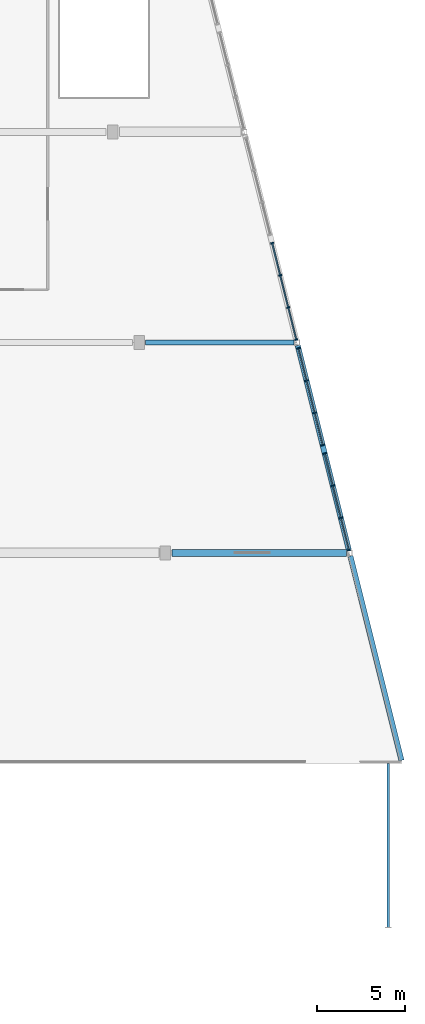
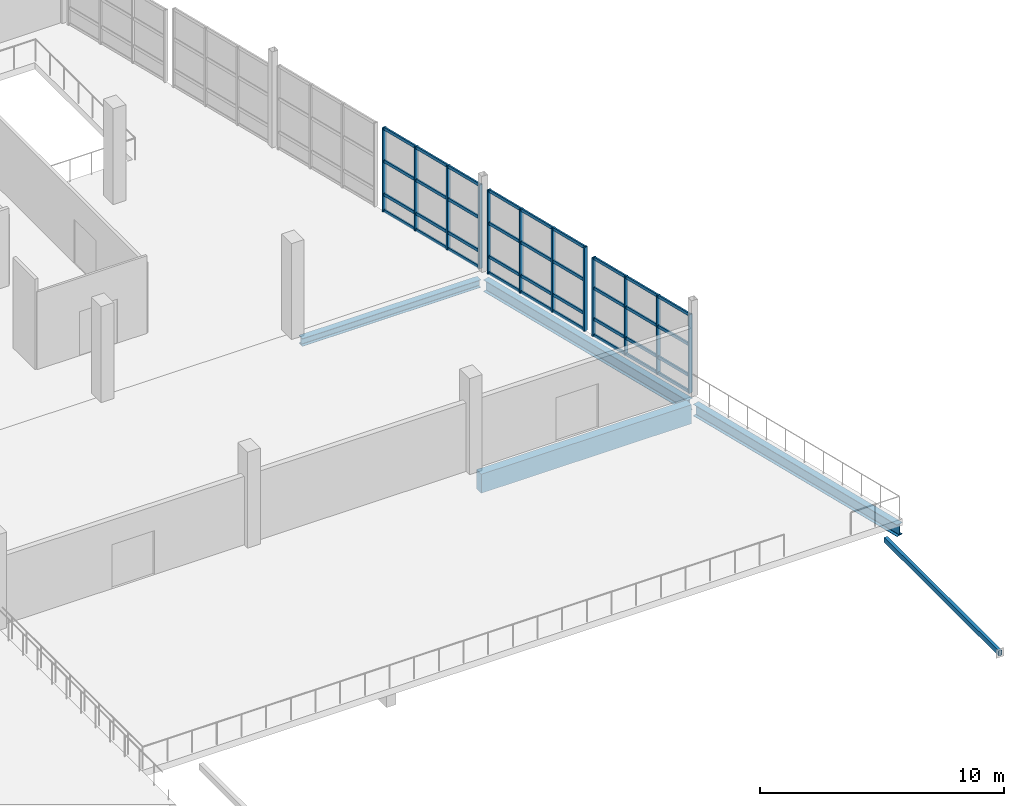
# One storey, part 21 of 49: 25 members, 4 beams, 3 elements without a shape of their own.
"""IFC4 building model written with IfcOpenShell, lengths in metres."""

from ifc_helpers import new_model, si_unit, direction, frame, origin, origin_2d, place, context, subcontext, project, spatial, rectangle, hollow_rectangle, i_section, extrude, material, material_profile, profile_set, type_object, element, aggregate, save


model = new_model("IFC4")

# Units and contexts
model_context = context("Model", 3, precision=1e-05, world=origin(), true_north=direction((0.0, 1.0)))
body_context = subcontext(model_context, "Body", "Model", "MODEL_VIEW")
ifc_project = project(units=[si_unit("LENGTHUNIT", "METRE"), si_unit("AREAUNIT", "SQUARE_METRE"), si_unit("VOLUMEUNIT", "CUBIC_METRE"), si_unit("PLANEANGLEUNIT", "RADIAN"), si_unit("MASSUNIT", "GRAM", prefix="KILO")], contexts=[model_context])

# Site, building, storey
site_placement = place(None, origin())
site = spatial("IfcSite", under=ifc_project, at=site_placement, CompositionType="ELEMENT")
building_placement = place(site_placement, origin())
building = spatial("IfcBuilding", under=site, at=building_placement, Name="Kamomehara Wholesale Market", CompositionType="ELEMENT")
storey_placement = place(building_placement, frame((0.0, 0.0, 11.39990234375)))
storey = spatial("IfcBuildingStorey", under=building, at=storey_placement, Name="L02", CompositionType="ELEMENT", Elevation=11.39990234375)

# Beams
ifc_material_1 = material(Name="Precast concrete Fc45 (C40/50)", Category="concrete")
ifc_material_profile_1 = material_profile(ifc_material_1, rectangle(XDim=0.39990234375, YDim=0.949951171875, at=origin_2d()), Name="PC-SPN-400x950")
ifc_profile_set_1 = profile_set([ifc_material_profile_1], Name="Precast concrete Fc45 (C40/50)")
beam_type_1 = type_object("IfcBeamType", Name="BM-SPN950-EXT", PredefinedType="SPANDREL", material=ifc_profile_set_1)
beam_1_placement = place(storey_placement, frame((190.875, 36.0, -0.81689453125), z_axis=(1.0, 0.0, 0.0), x_axis=(0.0, 1.0, 0.0)))
element("IfcBeam", 1, at=beam_1_placement, inside=storey, type_object=beam_type_1, Name="Beam SPN-01E L02", PredefinedType="SPANDREL", context=body_context, shape_type="SweptSolid", body=[
    extrude(rectangle(XDim=0.39990234375, YDim=0.949951171875, at=origin_2d()), origin(), (0.0, 0.0, 1.0), 9.947021484375),
])
ifc_material_2 = material(Name="Steel SN490B", Category="steel")
ifc_material_profile_2 = material_profile(ifc_material_2, i_section(OverallWidth=0.300048828125, OverallDepth=0.389892578125, WebThickness=0.010009765625, FlangeThickness=0.01611328125, FilletRadius=0.01806640625, at=origin_2d()), Name="H-390x300x10x16")
ifc_profile_set_2 = profile_set([ifc_material_profile_2], Name="Steel SN490B")
beam_type_2 = type_object("IfcBeamType", Name="BM-ST-H390-EXT", PredefinedType="SPANDREL", material=ifc_profile_set_2)
beam_2_placement = place(storey_placement, frame((189.375, 48.0, -0.536865234375), z_axis=(1.0, 0.0, 0.0), x_axis=(0.0, 1.0, 0.0)))
element("IfcBeam", 2, at=beam_2_placement, inside=storey, type_object=beam_type_2, Name="Beam SJ-03E L02", PredefinedType="SPANDREL", context=body_context, shape_type="SweptSolid", body=[
    extrude(i_section(OverallWidth=0.300048828125, OverallDepth=0.389892578125, WebThickness=0.010009765625, FlangeThickness=0.01611328125, FilletRadius=0.01806640625, at=origin_2d()), origin(), (0.0, 0.0, 1.0), 8.447021484375),
])
ifc_material_3 = material(Name="Steel SN490B", Category="steel")
ifc_material_profile_3 = material_profile(ifc_material_3, i_section(OverallWidth=0.300048828125, OverallDepth=0.587890625, WebThickness=0.011962890625, FlangeThickness=0.02001953125, FilletRadius=0.02197265625, at=origin_2d()), Name="H-588x300x12x20")
ifc_profile_set_3 = profile_set([ifc_material_profile_3], Name="Steel SN490B")
beam_type_3 = type_object("IfcBeamType", Name="BM-ST-H588-EXT", PredefinedType="BEAM", material=ifc_profile_set_3)
for number, where, z_axis, x_axis, name in (
    (3, (203.95703125, 24.172119140625, -0.630859375), (-0.242545187601, 0.970140109454, 0.0), (-0.970140109454, -0.242545187601, 0.0), "Beam SG-06E L02"),
    (4, (200.95703125, 36.172119140625, -0.635986328125), (-0.242545187601, 0.970140109454, 0.0), (-0.970140109454, -0.242545187601, 0.0), "Beam SG-06E L02"),
):
    element("IfcBeam", number, at=place(storey_placement, frame(where, z_axis=z_axis, x_axis=x_axis)), inside=storey, type_object=beam_type_3, Name=name, PredefinedType="BEAM", context=body_context, shape_type="SweptSolid", body=[
        extrude(i_section(OverallWidth=0.300048828125, OverallDepth=0.587890625, WebThickness=0.011962890625, FlangeThickness=0.02001953125, FilletRadius=0.02197265625, at=origin_2d()), origin(), (0.0, 0.0, 1.0), 12.014404296875),
    ])

# Curtain wall, members
ifc_material_4 = material(Name="Anodised aluminium 6063-T5", Category="aluminium")
curtain_wall_type = type_object("IfcCurtainWallType", Name="CW-UN-09", PredefinedType="NOTDEFINED", material=ifc_material_4)
curtain_wall_1_placement = place(storey_placement, origin())
curtain_wall_1 = element("IfcCurtainWall", 5, at=curtain_wall_1_placement, inside=storey, type_object=curtain_wall_type, Name="Unitised curtain wall CW-195", PredefinedType="NOTDEFINED")
ifc_material_5 = material(Name="Anodised aluminium 6063-T5", Category="aluminium")
ifc_material_profile_4 = material_profile(ifc_material_5, rectangle(XDim=0.074951171875, YDim=0.179931640625, at=origin_2d()), Name="ALU-MUL-75x180")
ifc_profile_set_4 = profile_set([ifc_material_profile_4], Name="Anodised aluminium 6063-T5")
member_type_1 = type_object("IfcMemberType", Name="CW-MUL-180", PredefinedType="MULLION", material=ifc_profile_set_4)
member_1_placement = place(storey_placement, frame((198.0849609375, 47.659912109375, 0.0), z_axis=(0.0, 0.0, 1.0), x_axis=(0.242617855844, -0.97012193874, 0.0)))
member_1 = element("IfcMember", 6, at=member_1_placement, type_object=member_type_1, Name="Mullion CW-195.0", PredefinedType="MULLION", context=body_context, shape_type="SweptSolid", body=[
    extrude(rectangle(XDim=0.074951171875, YDim=0.179931640625, at=origin_2d()), origin(), (0.0, 0.0, 1.0), 4.192138671875),
])
member_2_placement = place(storey_placement, frame((198.544921875, 45.822021484375, 0.0), z_axis=(0.0, 0.0, 1.0), x_axis=(0.242617855844, -0.97012193874, 0.0)))
member_2 = element("IfcMember", 7, at=member_2_placement, type_object=member_type_1, Name="Mullion CW-195.1", PredefinedType="MULLION", context=body_context, shape_type="SweptSolid", body=[
    extrude(rectangle(XDim=0.074951171875, YDim=0.179931640625, at=origin_2d()), origin(), (0.0, 0.0, 1.0), 4.192138671875),
])
member_3_placement = place(storey_placement, frame((199.00390625, 43.98388671875, 0.0), z_axis=(0.0, 0.0, 1.0), x_axis=(0.242617855844, -0.97012193874, 0.0)))
member_3 = element("IfcMember", 8, at=member_3_placement, type_object=member_type_1, Name="Mullion CW-195.2", PredefinedType="MULLION", context=body_context, shape_type="SweptSolid", body=[
    extrude(rectangle(XDim=0.074951171875, YDim=0.179931640625, at=origin_2d()), origin(), (0.0, 0.0, 1.0), 4.192138671875),
])
member_4_placement = place(storey_placement, frame((199.464111328125, 42.14599609375, 0.0), z_axis=(0.0, 0.0, 1.0), x_axis=(0.242617855844, -0.97012193874, 0.0)))
member_4 = element("IfcMember", 9, at=member_4_placement, type_object=member_type_1, Name="Mullion CW-195.3", PredefinedType="MULLION", context=body_context, shape_type="SweptSolid", body=[
    extrude(rectangle(XDim=0.074951171875, YDim=0.179931640625, at=origin_2d()), origin(), (0.0, 0.0, 1.0), 4.192138671875),
])

curtain_wall_2_placement = place(storey_placement, origin())
curtain_wall_2 = element("IfcCurtainWall", 10, at=curtain_wall_2_placement, inside=storey, type_object=curtain_wall_type, Name="Unitised curtain wall CW-196", PredefinedType="NOTDEFINED")
member_5_placement = place(storey_placement, frame((199.5849609375, 41.659912109375, 0.0), z_axis=(0.0, 0.0, 1.0), x_axis=(0.242494251575, -0.970152842573, 0.0)))
member_5 = element("IfcMember", 11, at=member_5_placement, type_object=member_type_1, Name="Mullion CW-196.0", PredefinedType="MULLION", context=body_context, shape_type="SweptSolid", body=[
    extrude(rectangle(XDim=0.074951171875, YDim=0.179931640625, at=origin_2d()), origin(), (0.0, 0.0, 1.0), 3.93017578125),
])
member_6_placement = place(storey_placement, frame((200.0439453125, 39.824951171875, 0.0), z_axis=(0.0, 0.0, 1.0), x_axis=(0.242494251575, -0.970152842573, 0.0)))
member_6 = element("IfcMember", 12, at=member_6_placement, type_object=member_type_1, Name="Mullion CW-196.1", PredefinedType="MULLION", context=body_context, shape_type="SweptSolid", body=[
    extrude(rectangle(XDim=0.074951171875, YDim=0.179931640625, at=origin_2d()), origin(), (0.0, 0.0, 1.0), 3.93017578125),
])
member_7_placement = place(storey_placement, frame((200.501953125, 37.989990234375, 0.0), z_axis=(0.0, 0.0, 1.0), x_axis=(0.242494251575, -0.970152842573, 0.0)))
member_7 = element("IfcMember", 13, at=member_7_placement, type_object=member_type_1, Name="Mullion CW-196.2", PredefinedType="MULLION", context=body_context, shape_type="SweptSolid", body=[
    extrude(rectangle(XDim=0.074951171875, YDim=0.179931640625, at=origin_2d()), origin(), (0.0, 0.0, 1.0), 3.93017578125),
])
member_8_placement = place(storey_placement, frame((200.9609375, 36.155029296875, 0.0), z_axis=(0.0, 0.0, 1.0), x_axis=(0.242494251575, -0.970152842573, 0.0)))
member_8 = element("IfcMember", 14, at=member_8_placement, type_object=member_type_1, Name="Mullion CW-196.3", PredefinedType="MULLION", context=body_context, shape_type="SweptSolid", body=[
    extrude(rectangle(XDim=0.074951171875, YDim=0.179931640625, at=origin_2d()), origin(), (0.0, 0.0, 1.0), 3.93017578125),
])

curtain_wall_3_placement = place(storey_placement, origin())
curtain_wall_3 = element("IfcCurtainWall", 15, at=curtain_wall_3_placement, inside=storey, type_object=curtain_wall_type, Name="Unitised curtain wall CW-198", PredefinedType="NOTDEFINED")
member_9_placement = place(storey_placement, frame((196.5849609375, 53.659912109375, 0.0), z_axis=(0.0, 0.0, 1.0), x_axis=(0.242494251575, -0.970152842573, 0.0)))
member_9 = element("IfcMember", 16, at=member_9_placement, type_object=member_type_1, Name="Mullion CW-198.0", PredefinedType="MULLION", context=body_context, shape_type="SweptSolid", body=[
    extrude(rectangle(XDim=0.074951171875, YDim=0.179931640625, at=origin_2d()), origin(), (0.0, 0.0, 1.0), 4.192138671875),
])
member_10_placement = place(storey_placement, frame((197.0439453125, 51.824951171875, 0.0), z_axis=(0.0, 0.0, 1.0), x_axis=(0.242494251575, -0.970152842573, 0.0)))
member_10 = element("IfcMember", 17, at=member_10_placement, type_object=member_type_1, Name="Mullion CW-198.1", PredefinedType="MULLION", context=body_context, shape_type="SweptSolid", body=[
    extrude(rectangle(XDim=0.074951171875, YDim=0.179931640625, at=origin_2d()), origin(), (0.0, 0.0, 1.0), 4.192138671875),
])
member_11_placement = place(storey_placement, frame((197.501953125, 49.989990234375, 0.0), z_axis=(0.0, 0.0, 1.0), x_axis=(0.242494251575, -0.970152842573, 0.0)))
member_11 = element("IfcMember", 18, at=member_11_placement, type_object=member_type_1, Name="Mullion CW-198.2", PredefinedType="MULLION", context=body_context, shape_type="SweptSolid", body=[
    extrude(rectangle(XDim=0.074951171875, YDim=0.179931640625, at=origin_2d()), origin(), (0.0, 0.0, 1.0), 4.192138671875),
])
member_12_placement = place(storey_placement, frame((197.9609375, 48.155029296875, 0.0), z_axis=(0.0, 0.0, 1.0), x_axis=(0.242494251575, -0.970152842573, 0.0)))
member_12 = element("IfcMember", 19, at=member_12_placement, type_object=member_type_1, Name="Mullion CW-198.3", PredefinedType="MULLION", context=body_context, shape_type="SweptSolid", body=[
    extrude(rectangle(XDim=0.074951171875, YDim=0.179931640625, at=origin_2d()), origin(), (0.0, 0.0, 1.0), 4.192138671875),
])

# Member
ifc_material_6 = material(Name="Anodised aluminium 6063-T5", Category="aluminium")
ifc_material_profile_5 = material_profile(ifc_material_6, rectangle(XDim=0.074951171875, YDim=0.14990234375, at=origin_2d()), Name="ALU-TRN-75x150")
ifc_profile_set_5 = profile_set([ifc_material_profile_5], Name="Anodised aluminium 6063-T5")
member_type_2 = type_object("IfcMemberType", Name="CW-TRN-150", PredefinedType="USERDEFINED", material=ifc_profile_set_5)
member_13_placement = place(storey_placement, frame((198.0849609375, 47.659912109375, 0.0400390625), z_axis=(0.242646798343, -0.97011470005, 0.0), x_axis=(0.97011470005, 0.242646798343, 0.0)))
member_13 = element("IfcMember", 20, at=member_13_placement, type_object=member_type_2, Name="Transom CW-195.0", ObjectType="TRANSOM", PredefinedType="USERDEFINED", context=body_context, shape_type="SweptSolid", body=[
    extrude(rectangle(XDim=0.074951171875, YDim=0.14990234375, at=origin_2d()), origin(), (0.0, 0.0, 1.0), 5.683837890625),
])

member_14_placement = place(storey_placement, frame((198.0849609375, 47.659912109375, 0.85009765625), z_axis=(0.242646798343, -0.97011470005, 0.0), x_axis=(0.97011470005, 0.242646798343, 0.0)))
member_14 = element("IfcMember", 21, at=member_14_placement, type_object=member_type_2, Name="Transom CW-195.1", ObjectType="TRANSOM", PredefinedType="USERDEFINED", context=body_context, shape_type="SweptSolid", body=[
    extrude(rectangle(XDim=0.074951171875, YDim=0.14990234375, at=origin_2d()), origin(), (0.0, 0.0, 1.0), 5.683837890625),
])

member_15_placement = place(storey_placement, frame((198.0849609375, 47.659912109375, 2.52099609375), z_axis=(0.242646798343, -0.97011470005, 0.0), x_axis=(0.97011470005, 0.242646798343, 0.0)))
member_15 = element("IfcMember", 22, at=member_15_placement, type_object=member_type_2, Name="Transom CW-195.2", ObjectType="TRANSOM", PredefinedType="USERDEFINED", context=body_context, shape_type="SweptSolid", body=[
    extrude(rectangle(XDim=0.074951171875, YDim=0.14990234375, at=origin_2d()), origin(), (0.0, 0.0, 1.0), 5.683837890625),
])

member_16_placement = place(storey_placement, frame((198.0849609375, 47.659912109375, 4.152099609375), z_axis=(0.242646798343, -0.97011470005, 0.0), x_axis=(0.97011470005, 0.242646798343, 0.0)))
member_16 = element("IfcMember", 23, at=member_16_placement, type_object=member_type_2, Name="Transom CW-195.3", ObjectType="TRANSOM", PredefinedType="USERDEFINED", context=body_context, shape_type="SweptSolid", body=[
    extrude(rectangle(XDim=0.074951171875, YDim=0.14990234375, at=origin_2d()), origin(), (0.0, 0.0, 1.0), 5.683837890625),
])

aggregate(curtain_wall_1, [member_1, member_2, member_3, member_4, member_13, member_14, member_15, member_16])

member_17_placement = place(storey_placement, frame((199.5849609375, 41.659912109375, 0.0400390625), z_axis=(0.242495129667, -0.97015262309, 0.0), x_axis=(0.97015262309, 0.242495129667, 0.0)))
member_17 = element("IfcMember", 24, at=member_17_placement, type_object=member_type_2, Name="Transom CW-196.0", ObjectType="TRANSOM", PredefinedType="USERDEFINED", context=body_context, shape_type="SweptSolid", body=[
    extrude(rectangle(XDim=0.074951171875, YDim=0.14990234375, at=origin_2d()), origin(), (0.0, 0.0, 1.0), 5.67431640625),
])

member_18_placement = place(storey_placement, frame((199.5849609375, 41.659912109375, 0.85009765625), z_axis=(0.242495129667, -0.97015262309, 0.0), x_axis=(0.97015262309, 0.242495129667, 0.0)))
member_18 = element("IfcMember", 25, at=member_18_placement, type_object=member_type_2, Name="Transom CW-196.1", ObjectType="TRANSOM", PredefinedType="USERDEFINED", context=body_context, shape_type="SweptSolid", body=[
    extrude(rectangle(XDim=0.074951171875, YDim=0.14990234375, at=origin_2d()), origin(), (0.0, 0.0, 1.0), 5.67431640625),
])

member_19_placement = place(storey_placement, frame((199.5849609375, 41.659912109375, 2.39013671875), z_axis=(0.242495129667, -0.97015262309, 0.0), x_axis=(0.97015262309, 0.242495129667, 0.0)))
member_19 = element("IfcMember", 26, at=member_19_placement, type_object=member_type_2, Name="Transom CW-196.2", ObjectType="TRANSOM", PredefinedType="USERDEFINED", context=body_context, shape_type="SweptSolid", body=[
    extrude(rectangle(XDim=0.074951171875, YDim=0.14990234375, at=origin_2d()), origin(), (0.0, 0.0, 1.0), 5.67431640625),
])

member_20_placement = place(storey_placement, frame((199.5849609375, 41.659912109375, 3.89013671875), z_axis=(0.242495129667, -0.97015262309, 0.0), x_axis=(0.97015262309, 0.242495129667, 0.0)))
member_20 = element("IfcMember", 27, at=member_20_placement, type_object=member_type_2, Name="Transom CW-196.3", ObjectType="TRANSOM", PredefinedType="USERDEFINED", context=body_context, shape_type="SweptSolid", body=[
    extrude(rectangle(XDim=0.074951171875, YDim=0.14990234375, at=origin_2d()), origin(), (0.0, 0.0, 1.0), 5.67431640625),
])

aggregate(curtain_wall_2, [member_5, member_6, member_7, member_8, member_17, member_18, member_19, member_20])

member_21_placement = place(storey_placement, frame((196.5849609375, 53.659912109375, 0.0400390625), z_axis=(0.242495129667, -0.97015262309, 0.0), x_axis=(0.97015262309, 0.242495129667, 0.0)))
member_21 = element("IfcMember", 28, at=member_21_placement, type_object=member_type_2, Name="Transom CW-198.0", ObjectType="TRANSOM", PredefinedType="USERDEFINED", context=body_context, shape_type="SweptSolid", body=[
    extrude(rectangle(XDim=0.074951171875, YDim=0.14990234375, at=origin_2d()), origin(), (0.0, 0.0, 1.0), 5.67431640625),
])

member_22_placement = place(storey_placement, frame((196.5849609375, 53.659912109375, 0.85009765625), z_axis=(0.242495129667, -0.97015262309, 0.0), x_axis=(0.97015262309, 0.242495129667, 0.0)))
member_22 = element("IfcMember", 29, at=member_22_placement, type_object=member_type_2, Name="Transom CW-198.1", ObjectType="TRANSOM", PredefinedType="USERDEFINED", context=body_context, shape_type="SweptSolid", body=[
    extrude(rectangle(XDim=0.074951171875, YDim=0.14990234375, at=origin_2d()), origin(), (0.0, 0.0, 1.0), 5.67431640625),
])

member_23_placement = place(storey_placement, frame((196.5849609375, 53.659912109375, 2.52099609375), z_axis=(0.242495129667, -0.97015262309, 0.0), x_axis=(0.97015262309, 0.242495129667, 0.0)))
member_23 = element("IfcMember", 30, at=member_23_placement, type_object=member_type_2, Name="Transom CW-198.2", ObjectType="TRANSOM", PredefinedType="USERDEFINED", context=body_context, shape_type="SweptSolid", body=[
    extrude(rectangle(XDim=0.074951171875, YDim=0.14990234375, at=origin_2d()), origin(), (0.0, 0.0, 1.0), 5.67431640625),
])

member_24_placement = place(storey_placement, frame((196.5849609375, 53.659912109375, 4.152099609375), z_axis=(0.242495129667, -0.97015262309, 0.0), x_axis=(0.97015262309, 0.242495129667, 0.0)))
member_24 = element("IfcMember", 31, at=member_24_placement, type_object=member_type_2, Name="Transom CW-198.3", ObjectType="TRANSOM", PredefinedType="USERDEFINED", context=body_context, shape_type="SweptSolid", body=[
    extrude(rectangle(XDim=0.074951171875, YDim=0.14990234375, at=origin_2d()), origin(), (0.0, 0.0, 1.0), 5.67431640625),
])

aggregate(curtain_wall_3, [member_9, member_10, member_11, member_12, member_21, member_22, member_23, member_24])

ifc_material_7 = material(Name="Steel SN490B", Category="steel")
ifc_material_profile_6 = material_profile(ifc_material_7, hollow_rectangle(XDim=0.14990234375, YDim=0.25, WallThickness=0.009033203125, at=origin_2d()), Name="RHS-250x150x9")
ifc_profile_set_6 = profile_set([ifc_material_profile_6], Name="Steel SN490B")
member_type_3 = type_object("IfcMemberType", Name="MEM-ST-RHS250x150", PredefinedType="STRUT", material=ifc_profile_set_6)
member_25_placement = place(storey_placement, frame((203.199951171875, 14.625, -0.75), z_axis=(0.0, 1.0, 0.0), x_axis=(-1.0, 0.0, 0.0)))
element("IfcMember", 32, at=member_25_placement, inside=storey, type_object=member_type_3, Name="Blade wall tie strut L02 2", PredefinedType="STRUT", context=body_context, shape_type="SweptSolid", body=[
    extrude(hollow_rectangle(XDim=0.14990234375, YDim=0.25, WallThickness=0.009033203125, at=origin_2d()), origin(), (0.0, 0.0, 1.0), 9.375),
])

save(model, "model.ifc")
